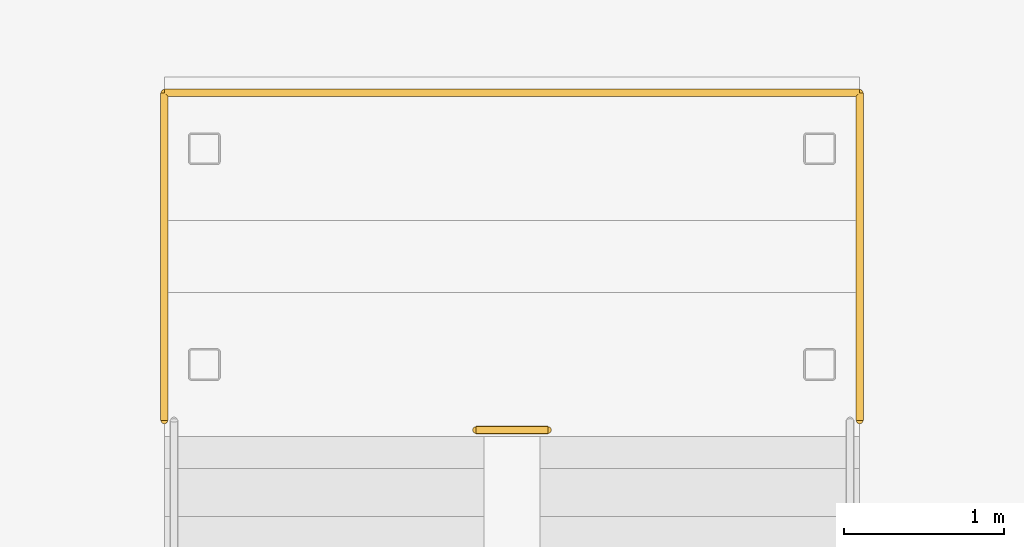
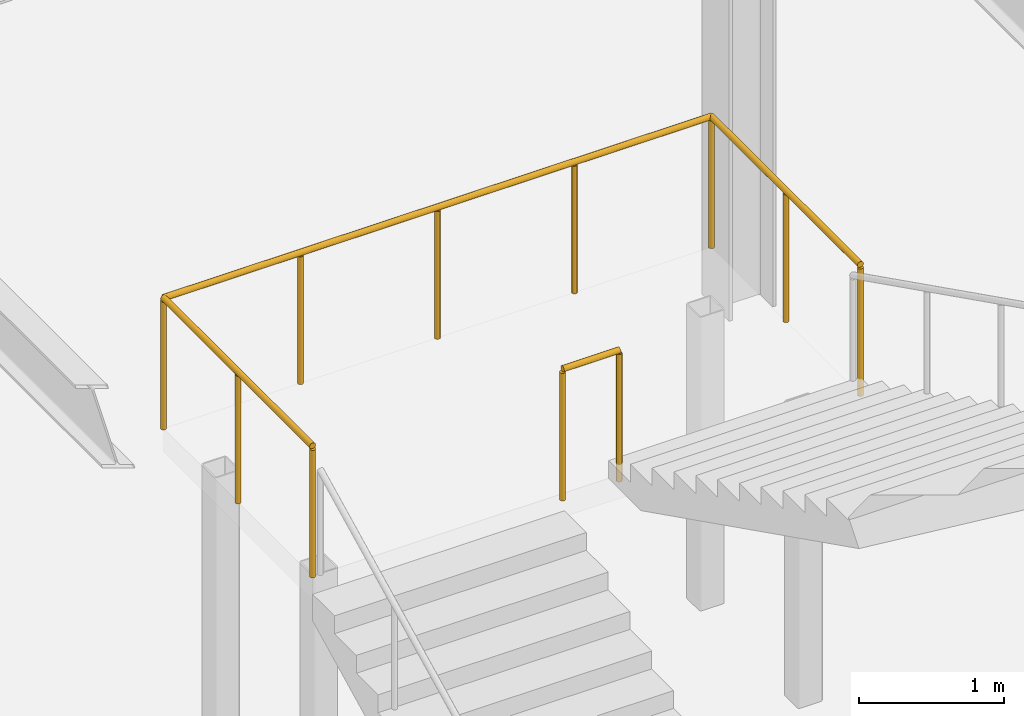
# One storey, part 115 of 129: 2 railings.
"""IFC4 building model written with IfcOpenShell, lengths in metres."""

from ifc_helpers import new_model, si_unit, direction, frame, origin, origin_2d, place, context, subcontext, project, spatial, circle, extrude, material, type_object, element, save


model = new_model("IFC4")

# Units and contexts
model_context = context("Model", 3, precision=1e-05, world=origin(), true_north=direction((0.0, 1.0)))
body_context = subcontext(model_context, "Body", "Model", "MODEL_VIEW")
ifc_project = project(units=[si_unit("LENGTHUNIT", "METRE"), si_unit("AREAUNIT", "SQUARE_METRE"), si_unit("VOLUMEUNIT", "CUBIC_METRE"), si_unit("PLANEANGLEUNIT", "RADIAN"), si_unit("MASSUNIT", "GRAM", prefix="KILO")], contexts=[model_context])

# Site, building, storey
site_placement = place(None, origin())
site = spatial("IfcSite", under=ifc_project, at=site_placement, CompositionType="ELEMENT")
building_placement = place(site_placement, origin())
building = spatial("IfcBuilding", under=site, at=building_placement, Name="Sitalva Quay Ferry Terminal", CompositionType="ELEMENT")
storey_placement = place(building_placement, origin())
storey = spatial("IfcBuildingStorey", under=building, at=storey_placement, Name="L01", CompositionType="ELEMENT", Elevation=0.0)

# Railings
ifc_material = material(Name="Stainless Steel 316L & Laminated Glass", Category="steel")
railing_type = type_object("IfcRailingType", Name="Railing_Balustrade_1120", PredefinedType="BALUSTRADE", material=ifc_material)
railing_1_placement = place(storey_placement, frame((17.89990234375, 37.300048828125, 2.699951171875)))
element("IfcRailing", 1, at=railing_1_placement, inside=storey, type_object=railing_type, Name="ST-14-GR-LD", PredefinedType="BALUSTRADE", context=body_context, shape_type="SweptSolid", body=[
    extrude(circle(Radius=0.02392578125, at=origin_2d()), frame((0.0, 0.0, 1.09619140625), z_axis=(0.0, 1.0, 0.0), x_axis=(-1.0, 0.0, 0.0)), (0.0, 0.0, 1.0), 2.050048828125),
    extrude(circle(Radius=0.02392578125, at=origin_2d()), frame((0.0, 2.050048828125, 1.09619140625), z_axis=(1.0, 0.0, 0.0), x_axis=(0.0, 1.0, 0.0)), (0.0, 0.0, 1.0), 4.35009765625),
    extrude(circle(Radius=0.02392578125, at=origin_2d()), frame((4.35009765625, 2.050048828125, 1.09619140625), z_axis=(0.0, -1.0, 0.0), x_axis=(1.0, 0.0, 0.0)), (0.0, 0.0, 1.0), 2.050048828125),
    extrude(circle(Radius=0.02099609375, at=origin_2d()), origin(), (0.0, 0.0, 1.0), 1.072021484375),
    extrude(circle(Radius=0.02099609375, at=origin_2d()), frame((0.0, 1.02490234375, 0.0)), (0.0, 0.0, 1.0), 1.072021484375),
    extrude(circle(Radius=0.02099609375, at=origin_2d()), frame((0.0, 2.050048828125, 0.0)), (0.0, 0.0, 1.0), 1.072021484375),
    extrude(circle(Radius=0.02099609375, at=origin_2d()), frame((1.08740234375, 2.050048828125, 0.0)), (0.0, 0.0, 1.0), 1.072021484375),
    extrude(circle(Radius=0.02099609375, at=origin_2d()), frame((2.175048828125, 2.050048828125, 0.0)), (0.0, 0.0, 1.0), 1.072021484375),
    extrude(circle(Radius=0.02099609375, at=origin_2d()), frame((3.2626953125, 2.050048828125, 0.0)), (0.0, 0.0, 1.0), 1.072021484375),
    extrude(circle(Radius=0.02099609375, at=origin_2d()), frame((4.35009765625, 2.050048828125, 0.0)), (0.0, 0.0, 1.0), 1.072021484375),
    extrude(circle(Radius=0.02099609375, at=origin_2d()), frame((4.35009765625, 1.02490234375, 0.0)), (0.0, 0.0, 1.0), 1.072021484375),
    extrude(circle(Radius=0.02099609375, at=origin_2d()), frame((4.35009765625, 0.0, 0.0)), (0.0, 0.0, 1.0), 1.072021484375),
])
railing_2_placement = place(storey_placement, frame((19.85009765625, 37.239990234375, 2.699951171875)))
element("IfcRailing", 2, at=railing_2_placement, inside=storey, type_object=railing_type, Name="ST-14-GR-SLOT", PredefinedType="BALUSTRADE", context=body_context, shape_type="SweptSolid", body=[
    extrude(circle(Radius=0.02392578125, at=origin_2d()), frame((0.0, 0.0, 1.09619140625), z_axis=(1.0, 0.0, 0.0), x_axis=(0.0, 1.0, 0.0)), (0.0, 0.0, 1.0), 0.449951171875),
    extrude(circle(Radius=0.02099609375, at=origin_2d()), origin(), (0.0, 0.0, 1.0), 1.072021484375),
    extrude(circle(Radius=0.02099609375, at=origin_2d()), frame((0.449951171875, 0.0, 0.0)), (0.0, 0.0, 1.0), 1.072021484375),
])

save(model, "model.ifc")
